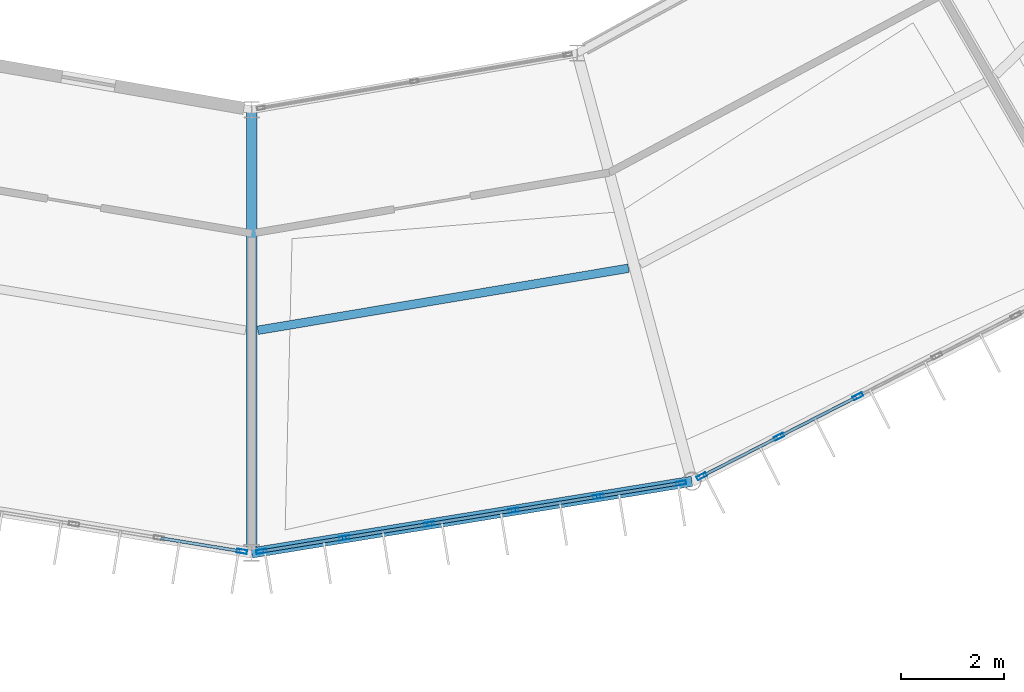
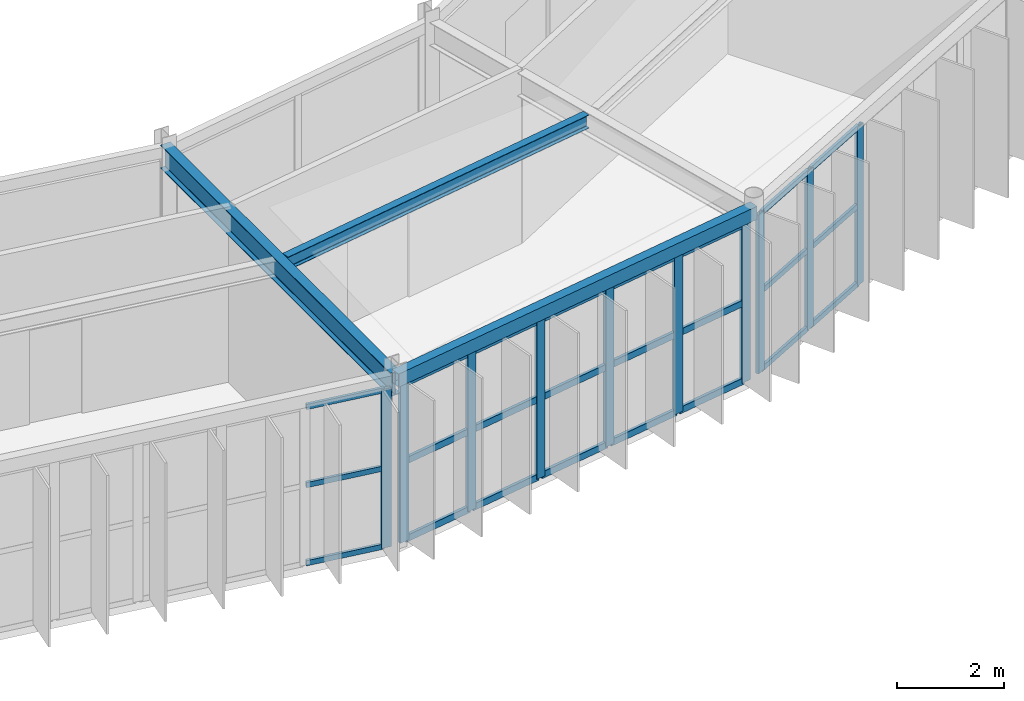
# One storey, part 47 of 147: 34 members, 3 beams, 3 elements without a shape of their own.
"""IFC4 building model written with IfcOpenShell, lengths in metres."""

from ifc_helpers import new_model, si_unit, direction, frame, origin, origin_2d, place, context, subcontext, project, spatial, hollow_rectangle, i_section, extrude, material, material_profile, profile_set, type_object, element, aggregate, save


model = new_model("IFC4")

# Units and contexts
model_context = context("Model", 3, precision=1e-05, world=origin(), true_north=direction((0.0, 1.0)))
body_context = subcontext(model_context, "Body", "Model", "MODEL_VIEW")
ifc_project = project(units=[si_unit("LENGTHUNIT", "METRE"), si_unit("AREAUNIT", "SQUARE_METRE"), si_unit("VOLUMEUNIT", "CUBIC_METRE"), si_unit("PLANEANGLEUNIT", "RADIAN"), si_unit("MASSUNIT", "GRAM", prefix="KILO")], contexts=[model_context])

# Site, building, storey
site_placement = place(None, origin())
site = spatial("IfcSite", under=ifc_project, at=site_placement, CompositionType="ELEMENT")
building_placement = place(site_placement, origin())
building = spatial("IfcBuilding", under=site, at=building_placement, Name="Karori Crest Natural Sciences Institute", CompositionType="ELEMENT")
storey_placement = place(building_placement, frame((0.0, 0.0, 9.10009765625)))
storey = spatial("IfcBuildingStorey", under=building, at=storey_placement, Name="L02", CompositionType="ELEMENT", Elevation=9.10009765625)

# Beams
ifc_material_1 = material(Name="Structural steel AS/NZS 3679.1 Grade 350", Category="steel")
ifc_material_profile_1 = material_profile(ifc_material_1, i_section(OverallWidth=0.208984375, OverallDepth=0.532958984375, WebThickness=0.01025390625, FlangeThickness=0.015625, FilletRadius=0.013916015625, at=origin_2d()), Name="530UB92.4")
ifc_profile_set_1 = profile_set([ifc_material_profile_1], Name="Structural steel AS/NZS 3679.1 Grade 350")
beam_type_1 = type_object("IfcBeamType", Name="BT-05", PredefinedType="BEAM", material=ifc_profile_set_1)
beam_1_placement = place(storey_placement, frame((66.39990234375, 17.699951171875, 3.67333984375), z_axis=(0.0, -1.0, 0.0), x_axis=(1.0, 0.0, 0.0)))
element("IfcBeam", 1, at=beam_1_placement, inside=storey, type_object=beam_type_1, Name="Beam B-0340", PredefinedType="BEAM", context=body_context, shape_type="SweptSolid", body=[
    extrude(i_section(OverallWidth=0.208984375, OverallDepth=0.532958984375, WebThickness=0.01025390625, FlangeThickness=0.015625, FilletRadius=0.013916015625, at=origin_2d()), origin(), (0.0, 0.0, 1.0), 8.599853515625),
])
ifc_material_profile_2 = material_profile(ifc_material_1, i_section(OverallWidth=0.1650390625, OverallDepth=0.303955078125, WebThickness=0.006103515625, FlangeThickness=0.01025390625, FilletRadius=0.010986328125, at=origin_2d()), Name="310UB40.4")
ifc_profile_set_2 = profile_set([ifc_material_profile_2], Name="Structural steel AS/NZS 3679.1 Grade 350")
beam_type_2 = type_object("IfcBeamType", Name="BT-10", PredefinedType="BEAM", material=ifc_profile_set_2)
beam_2_placement = place(storey_placement, frame((66.518310546875, 13.419921875, 3.787841796875), z_axis=(0.986276028212, 0.165104803609, 0.0), x_axis=(-0.165104803609, 0.986276028212, 0.0)))
element("IfcBeam", 2, at=beam_2_placement, inside=storey, type_object=beam_type_2, Name="Beam B-0341", PredefinedType="BEAM", context=body_context, shape_type="SweptSolid", body=[
    extrude(i_section(OverallWidth=0.1650390625, OverallDepth=0.303955078125, WebThickness=0.006103515625, FlangeThickness=0.01025390625, FilletRadius=0.010986328125, at=origin_2d()), origin(), (0.0, 0.0, 1.0), 7.29150390625),
])
ifc_material_2 = material(Name="Hollow structural steel AS/NZS 1163 Grade C350", Category="steel")
ifc_material_profile_3 = material_profile(ifc_material_2, hollow_rectangle(XDim=0.199951171875, YDim=0.300048828125, WallThickness=0.010009765625, at=origin_2d()), Name="RHS300x200x10")
ifc_profile_set_3 = profile_set([ifc_material_profile_3], Name="Hollow structural steel AS/NZS 1163 Grade C350")
beam_type_3 = type_object("IfcBeamType", Name="BT-15", PredefinedType="SPANDREL", material=ifc_profile_set_3)
beam_3_placement = place(storey_placement, frame((66.39990234375, 9.10009765625, 3.789794921875), z_axis=(0.987012055933, 0.160646199591, 0.0), x_axis=(-0.160646199591, 0.987012055933, 0.0)))
element("IfcBeam", 3, at=beam_3_placement, inside=storey, type_object=beam_type_3, Name="Beam B-0338", PredefinedType="SPANDREL", context=body_context, shape_type="SweptSolid", body=[
    extrude(hollow_rectangle(XDim=0.199951171875, YDim=0.300048828125, WallThickness=0.010009765625, at=origin_2d()), origin(), (0.0, 0.0, 1.0), 8.6533203125),
])

# Curtain wall, member
ifc_material_3 = material(Name="Anodised architectural aluminium 6063-T6", Category="aluminium")
curtain_wall_type_1 = type_object("IfcCurtainWallType", Name="CWT-08", PredefinedType="NOTDEFINED", material=ifc_material_3)
curtain_wall_1_placement = place(storey_placement, origin())
curtain_wall_1 = element("IfcCurtainWall", 4, at=curtain_wall_1_placement, inside=storey, type_object=curtain_wall_type_1, Name="Curtain wall CW-0090", PredefinedType="NOTDEFINED")
ifc_material_profile_4 = material_profile(ifc_material_3, hollow_rectangle(XDim=0.074951171875, YDim=0.199951171875, WallThickness=0.0048828125, at=origin_2d()), Name="CWM200x75x5")
ifc_profile_set_4 = profile_set([ifc_material_profile_4], Name="Anodised architectural aluminium 6063-T6")
member_type_1 = type_object("IfcMemberType", Name="CWM-02", PredefinedType="MULLION", material=ifc_profile_set_4)
member_1_placement = place(storey_placement, frame((66.20947265625, 9.131103515625, 0.0), z_axis=(0.0, 0.0, 1.0), x_axis=(-0.160651962718, -0.987011117908, 0.0)))
member_1 = element("IfcMember", 5, at=member_1_placement, type_object=member_type_1, Name="CW-0090 mullion 1", PredefinedType="MULLION", context=body_context, shape_type="SweptSolid", body=[
    extrude(hollow_rectangle(XDim=0.074951171875, YDim=0.199951171875, WallThickness=0.0048828125, at=origin_2d()), origin(), (0.0, 0.0, 1.0), 3.625),
])

# Curtain wall, members
curtain_wall_type_2 = type_object("IfcCurtainWallType", Name="CWT-09", PredefinedType="NOTDEFINED", material=ifc_material_3)
curtain_wall_2_placement = place(storey_placement, origin())
curtain_wall_2 = element("IfcCurtainWall", 6, at=curtain_wall_2_placement, inside=storey, type_object=curtain_wall_type_2, Name="Curtain wall CW-0091", PredefinedType="NOTDEFINED")
member_2_placement = place(storey_placement, frame((74.73046875, 10.4560546875, 0.0), z_axis=(0.0, 0.0, 1.0), x_axis=(0.1606565458, -0.987010371927, 0.0)))
member_2 = element("IfcMember", 7, at=member_2_placement, type_object=member_type_1, Name="CW-0091 mullion 1", PredefinedType="MULLION", context=body_context, shape_type="SweptSolid", body=[
    extrude(hollow_rectangle(XDim=0.074951171875, YDim=0.199951171875, WallThickness=0.0048828125, at=origin_2d()), origin(), (0.0, 0.0, 1.0), 3.625),
])
member_3_placement = place(storey_placement, frame((73.124755859375, 10.194580078125, 0.0), z_axis=(0.0, 0.0, 1.0), x_axis=(0.1606565458, -0.987010371927, 0.0)))
member_3 = element("IfcMember", 8, at=member_3_placement, type_object=member_type_1, Name="CW-0091 mullion 2", PredefinedType="MULLION", context=body_context, shape_type="SweptSolid", body=[
    extrude(hollow_rectangle(XDim=0.074951171875, YDim=0.199951171875, WallThickness=0.0048828125, at=origin_2d()), origin(), (0.0, 0.0, 1.0), 3.625),
])
member_4_placement = place(storey_placement, frame((71.48193359375, 9.92724609375, 0.0), z_axis=(0.0, 0.0, 1.0), x_axis=(0.1606565458, -0.987010371927, 0.0)))
member_4 = element("IfcMember", 9, at=member_4_placement, type_object=member_type_1, Name="CW-0091 mullion 3", PredefinedType="MULLION", context=body_context, shape_type="SweptSolid", body=[
    extrude(hollow_rectangle(XDim=0.074951171875, YDim=0.199951171875, WallThickness=0.0048828125, at=origin_2d()), origin(), (0.0, 0.0, 1.0), 3.625),
])
member_5_placement = place(storey_placement, frame((69.839111328125, 9.659912109375, 0.0), z_axis=(0.0, 0.0, 1.0), x_axis=(0.1606565458, -0.987010371927, 0.0)))
member_5 = element("IfcMember", 10, at=member_5_placement, type_object=member_type_1, Name="CW-0091 mullion 4", PredefinedType="MULLION", context=body_context, shape_type="SweptSolid", body=[
    extrude(hollow_rectangle(XDim=0.074951171875, YDim=0.199951171875, WallThickness=0.0048828125, at=origin_2d()), origin(), (0.0, 0.0, 1.0), 3.625),
])
member_6_placement = place(storey_placement, frame((68.1962890625, 9.392333984375, 0.0), z_axis=(0.0, 0.0, 1.0), x_axis=(0.1606565458, -0.987010371927, 0.0)))
member_6 = element("IfcMember", 11, at=member_6_placement, type_object=member_type_1, Name="CW-0091 mullion 5", PredefinedType="MULLION", context=body_context, shape_type="SweptSolid", body=[
    extrude(hollow_rectangle(XDim=0.074951171875, YDim=0.199951171875, WallThickness=0.0048828125, at=origin_2d()), origin(), (0.0, 0.0, 1.0), 3.625),
])
member_7_placement = place(storey_placement, frame((66.590576171875, 9.131103515625, 0.0), z_axis=(0.0, 0.0, 1.0), x_axis=(0.1606565458, -0.987010371927, 0.0)))
member_7 = element("IfcMember", 12, at=member_7_placement, type_object=member_type_1, Name="CW-0091 mullion 6", PredefinedType="MULLION", context=body_context, shape_type="SweptSolid", body=[
    extrude(hollow_rectangle(XDim=0.074951171875, YDim=0.199951171875, WallThickness=0.0048828125, at=origin_2d()), origin(), (0.0, 0.0, 1.0), 3.625),
])

curtain_wall_type_3 = type_object("IfcCurtainWallType", Name="CWT-10", PredefinedType="NOTDEFINED", material=ifc_material_3)
curtain_wall_3_placement = place(storey_placement, origin())
curtain_wall_3 = element("IfcCurtainWall", 13, at=curtain_wall_3_placement, inside=storey, type_object=curtain_wall_type_3, Name="Curtain wall CW-0093", PredefinedType="NOTDEFINED")
member_8_placement = place(storey_placement, frame((78.16162109375, 12.139404296875, 0.0), z_axis=(0.0, 0.0, 1.0), x_axis=(0.455832988828, -0.890065326982, 0.0)))
member_8 = element("IfcMember", 14, at=member_8_placement, type_object=member_type_1, Name="CW-0093 mullion 4", PredefinedType="MULLION", context=body_context, shape_type="SweptSolid", body=[
    extrude(hollow_rectangle(XDim=0.074951171875, YDim=0.199951171875, WallThickness=0.0048828125, at=origin_2d()), origin(), (0.0, 0.0, 1.0), 3.625),
])
member_9_placement = place(storey_placement, frame((76.629638671875, 11.35498046875, 0.0), z_axis=(0.0, 0.0, 1.0), x_axis=(0.455832988828, -0.890065326982, 0.0)))
member_9 = element("IfcMember", 15, at=member_9_placement, type_object=member_type_1, Name="CW-0093 mullion 5", PredefinedType="MULLION", context=body_context, shape_type="SweptSolid", body=[
    extrude(hollow_rectangle(XDim=0.074951171875, YDim=0.199951171875, WallThickness=0.0048828125, at=origin_2d()), origin(), (0.0, 0.0, 1.0), 3.625),
])
member_10_placement = place(storey_placement, frame((75.130859375, 10.58740234375, 0.0), z_axis=(0.0, 0.0, 1.0), x_axis=(0.455832988828, -0.890065326982, 0.0)))
member_10 = element("IfcMember", 16, at=member_10_placement, type_object=member_type_1, Name="CW-0093 mullion 6", PredefinedType="MULLION", context=body_context, shape_type="SweptSolid", body=[
    extrude(hollow_rectangle(XDim=0.074951171875, YDim=0.199951171875, WallThickness=0.0048828125, at=origin_2d()), origin(), (0.0, 0.0, 1.0), 3.625),
])

# Member
ifc_material_profile_5 = material_profile(ifc_material_3, hollow_rectangle(XDim=0.06005859375, YDim=0.1201171875, WallThickness=0.00390625, at=origin_2d()), Name="CWT120x60x4")
ifc_profile_set_5 = profile_set([ifc_material_profile_5], Name="Anodised architectural aluminium 6063-T6")
member_type_2 = type_object("IfcMemberType", Name="CWT-TR1", PredefinedType="USERDEFINED", material=ifc_profile_set_5)
member_11_placement = place(storey_placement, frame((66.17236328125, 9.136962890625, 0.02978515625), z_axis=(-0.986989891698, 0.160782317706, 0.0), x_axis=(-0.160782317706, -0.986989891698, 0.0)))
member_11 = element("IfcMember", 17, at=member_11_placement, type_object=member_type_2, Name="CW-0090 transom 1.1", ObjectType="TRANSOM", PredefinedType="USERDEFINED", context=body_context, shape_type="SweptSolid", body=[
    extrude(hollow_rectangle(XDim=0.06005859375, YDim=0.1201171875, WallThickness=0.00390625, at=origin_2d()), origin(), (0.0, 0.0, 1.0), 1.554931640625),
])

member_12_placement = place(storey_placement, frame((66.17236328125, 9.136962890625, 1.8125), z_axis=(-0.986989891698, 0.160782317706, 0.0), x_axis=(-0.160782317706, -0.986989891698, 0.0)))
member_12 = element("IfcMember", 18, at=member_12_placement, type_object=member_type_2, Name="CW-0090 transom 1.2", ObjectType="TRANSOM", PredefinedType="USERDEFINED", context=body_context, shape_type="SweptSolid", body=[
    extrude(hollow_rectangle(XDim=0.06005859375, YDim=0.1201171875, WallThickness=0.00390625, at=origin_2d()), origin(), (0.0, 0.0, 1.0), 1.554931640625),
])

member_13_placement = place(storey_placement, frame((66.17236328125, 9.136962890625, 3.594970703125), z_axis=(-0.986989891698, 0.160782317706, 0.0), x_axis=(-0.160782317706, -0.986989891698, 0.0)))
member_13 = element("IfcMember", 19, at=member_13_placement, type_object=member_type_2, Name="CW-0090 transom 1.3", ObjectType="TRANSOM", PredefinedType="USERDEFINED", context=body_context, shape_type="SweptSolid", body=[
    extrude(hollow_rectangle(XDim=0.06005859375, YDim=0.1201171875, WallThickness=0.00390625, at=origin_2d()), origin(), (0.0, 0.0, 1.0), 1.554931640625),
])

aggregate(curtain_wall_1, [member_1, member_11, member_12, member_13])

member_14_placement = place(storey_placement, frame((78.128173828125, 12.122314453125, 0.02978515625), z_axis=(-0.890115268912, -0.455735458408, 0.0), x_axis=(0.455735458408, -0.890115268912, 0.0)))
member_14 = element("IfcMember", 20, at=member_14_placement, type_object=member_type_2, Name="CW-0093 transom 4.1", ObjectType="TRANSOM", PredefinedType="USERDEFINED", context=body_context, shape_type="SweptSolid", body=[
    extrude(hollow_rectangle(XDim=0.06005859375, YDim=0.1201171875, WallThickness=0.00390625, at=origin_2d()), origin(), (0.0, 0.0, 1.0), 1.646240234375),
])

member_15_placement = place(storey_placement, frame((78.128173828125, 12.122314453125, 1.8125), z_axis=(-0.890115268912, -0.455735458408, 0.0), x_axis=(0.455735458408, -0.890115268912, 0.0)))
member_15 = element("IfcMember", 21, at=member_15_placement, type_object=member_type_2, Name="CW-0093 transom 4.2", ObjectType="TRANSOM", PredefinedType="USERDEFINED", context=body_context, shape_type="SweptSolid", body=[
    extrude(hollow_rectangle(XDim=0.06005859375, YDim=0.1201171875, WallThickness=0.00390625, at=origin_2d()), origin(), (0.0, 0.0, 1.0), 1.646240234375),
])

member_16_placement = place(storey_placement, frame((78.128173828125, 12.122314453125, 3.594970703125), z_axis=(-0.890115268912, -0.455735458408, 0.0), x_axis=(0.455735458408, -0.890115268912, 0.0)))
member_16 = element("IfcMember", 22, at=member_16_placement, type_object=member_type_2, Name="CW-0093 transom 4.3", ObjectType="TRANSOM", PredefinedType="USERDEFINED", context=body_context, shape_type="SweptSolid", body=[
    extrude(hollow_rectangle(XDim=0.06005859375, YDim=0.1201171875, WallThickness=0.00390625, at=origin_2d()), origin(), (0.0, 0.0, 1.0), 1.646240234375),
])

member_17_placement = place(storey_placement, frame((76.59619140625, 11.337890625, 0.02978515625), z_axis=(-0.890044866674, -0.455872937679, 0.0), x_axis=(0.455872937679, -0.890044866674, 0.0)))
member_17 = element("IfcMember", 23, at=member_17_placement, type_object=member_type_2, Name="CW-0093 transom 5.1", ObjectType="TRANSOM", PredefinedType="USERDEFINED", context=body_context, shape_type="SweptSolid", body=[
    extrude(hollow_rectangle(XDim=0.06005859375, YDim=0.1201171875, WallThickness=0.00390625, at=origin_2d()), origin(), (0.0, 0.0, 1.0), 1.60888671875),
])

member_18_placement = place(storey_placement, frame((76.59619140625, 11.337890625, 1.8125), z_axis=(-0.890044866674, -0.455872937679, 0.0), x_axis=(0.455872937679, -0.890044866674, 0.0)))
member_18 = element("IfcMember", 24, at=member_18_placement, type_object=member_type_2, Name="CW-0093 transom 5.2", ObjectType="TRANSOM", PredefinedType="USERDEFINED", context=body_context, shape_type="SweptSolid", body=[
    extrude(hollow_rectangle(XDim=0.06005859375, YDim=0.1201171875, WallThickness=0.00390625, at=origin_2d()), origin(), (0.0, 0.0, 1.0), 1.60888671875),
])

member_19_placement = place(storey_placement, frame((76.59619140625, 11.337890625, 3.594970703125), z_axis=(-0.890044866674, -0.455872937679, 0.0), x_axis=(0.455872937679, -0.890044866674, 0.0)))
member_19 = element("IfcMember", 25, at=member_19_placement, type_object=member_type_2, Name="CW-0093 transom 5.3", ObjectType="TRANSOM", PredefinedType="USERDEFINED", context=body_context, shape_type="SweptSolid", body=[
    extrude(hollow_rectangle(XDim=0.06005859375, YDim=0.1201171875, WallThickness=0.00390625, at=origin_2d()), origin(), (0.0, 0.0, 1.0), 1.60888671875),
])

aggregate(curtain_wall_3, [member_8, member_9, member_10, member_14, member_15, member_16, member_17, member_18, member_19])

ifc_material_profile_6 = material_profile(ifc_material_3, hollow_rectangle(XDim=0.06494140625, YDim=0.14990234375, WallThickness=0.00390625, at=origin_2d()), Name="CWT150x65x4")
ifc_profile_set_6 = profile_set([ifc_material_profile_6], Name="Anodised architectural aluminium 6063-T6")
member_type_3 = type_object("IfcMemberType", Name="CWT-TR2", PredefinedType="USERDEFINED", material=ifc_profile_set_6)
member_20_placement = place(storey_placement, frame((74.693359375, 10.449951171875, 0.032470703125), z_axis=(-0.987015971558, -0.160622140096, 0.0), x_axis=(0.160622140096, -0.987015971558, 0.0)))
member_20 = element("IfcMember", 26, at=member_20_placement, type_object=member_type_3, Name="CW-0091 transom 1.1", ObjectType="TRANSOM", PredefinedType="USERDEFINED", context=body_context, shape_type="SweptSolid", body=[
    extrude(hollow_rectangle(XDim=0.06494140625, YDim=0.14990234375, WallThickness=0.00390625, at=origin_2d()), origin(), (0.0, 0.0, 1.0), 1.552001953125),
])

member_21_placement = place(storey_placement, frame((74.693359375, 10.449951171875, 1.8125), z_axis=(-0.987015971558, -0.160622140096, 0.0), x_axis=(0.160622140096, -0.987015971558, 0.0)))
member_21 = element("IfcMember", 27, at=member_21_placement, type_object=member_type_3, Name="CW-0091 transom 1.2", ObjectType="TRANSOM", PredefinedType="USERDEFINED", context=body_context, shape_type="SweptSolid", body=[
    extrude(hollow_rectangle(XDim=0.06494140625, YDim=0.14990234375, WallThickness=0.00390625, at=origin_2d()), origin(), (0.0, 0.0, 1.0), 1.552001953125),
])

member_22_placement = place(storey_placement, frame((74.693359375, 10.449951171875, 3.59228515625), z_axis=(-0.987015971558, -0.160622140096, 0.0), x_axis=(0.160622140096, -0.987015971558, 0.0)))
member_22 = element("IfcMember", 28, at=member_22_placement, type_object=member_type_3, Name="CW-0091 transom 1.3", ObjectType="TRANSOM", PredefinedType="USERDEFINED", context=body_context, shape_type="SweptSolid", body=[
    extrude(hollow_rectangle(XDim=0.06494140625, YDim=0.14990234375, WallThickness=0.00390625, at=origin_2d()), origin(), (0.0, 0.0, 1.0), 1.552001953125),
])

member_23_placement = place(storey_placement, frame((73.087646484375, 10.1884765625, 0.032470703125), z_axis=(-0.987009535741, -0.160661682911, 0.0), x_axis=(0.160661682911, -0.987009535741, 0.0)))
member_23 = element("IfcMember", 29, at=member_23_placement, type_object=member_type_3, Name="CW-0091 transom 2.1", ObjectType="TRANSOM", PredefinedType="USERDEFINED", context=body_context, shape_type="SweptSolid", body=[
    extrude(hollow_rectangle(XDim=0.06494140625, YDim=0.14990234375, WallThickness=0.00390625, at=origin_2d()), origin(), (0.0, 0.0, 1.0), 1.589599609375),
])

member_24_placement = place(storey_placement, frame((73.087646484375, 10.1884765625, 1.8125), z_axis=(-0.987009535741, -0.160661682911, 0.0), x_axis=(0.160661682911, -0.987009535741, 0.0)))
member_24 = element("IfcMember", 30, at=member_24_placement, type_object=member_type_3, Name="CW-0091 transom 2.2", ObjectType="TRANSOM", PredefinedType="USERDEFINED", context=body_context, shape_type="SweptSolid", body=[
    extrude(hollow_rectangle(XDim=0.06494140625, YDim=0.14990234375, WallThickness=0.00390625, at=origin_2d()), origin(), (0.0, 0.0, 1.0), 1.589599609375),
])

member_25_placement = place(storey_placement, frame((73.087646484375, 10.1884765625, 3.59228515625), z_axis=(-0.987009535741, -0.160661682911, 0.0), x_axis=(0.160661682911, -0.987009535741, 0.0)))
member_25 = element("IfcMember", 31, at=member_25_placement, type_object=member_type_3, Name="CW-0091 transom 2.3", ObjectType="TRANSOM", PredefinedType="USERDEFINED", context=body_context, shape_type="SweptSolid", body=[
    extrude(hollow_rectangle(XDim=0.06494140625, YDim=0.14990234375, WallThickness=0.00390625, at=origin_2d()), origin(), (0.0, 0.0, 1.0), 1.589599609375),
])

member_26_placement = place(storey_placement, frame((71.44482421875, 9.921142578125, 0.032470703125), z_axis=(-0.987005570186, -0.160686043022, 0.0), x_axis=(0.160686043022, -0.987005570186, 0.0)))
member_26 = element("IfcMember", 32, at=member_26_placement, type_object=member_type_3, Name="CW-0091 transom 3.1", ObjectType="TRANSOM", PredefinedType="USERDEFINED", context=body_context, shape_type="SweptSolid", body=[
    extrude(hollow_rectangle(XDim=0.06494140625, YDim=0.14990234375, WallThickness=0.00390625, at=origin_2d()), origin(), (0.0, 0.0, 1.0), 1.58935546875),
])

member_27_placement = place(storey_placement, frame((71.44482421875, 9.921142578125, 1.8125), z_axis=(-0.987005570186, -0.160686043022, 0.0), x_axis=(0.160686043022, -0.987005570186, 0.0)))
member_27 = element("IfcMember", 33, at=member_27_placement, type_object=member_type_3, Name="CW-0091 transom 3.2", ObjectType="TRANSOM", PredefinedType="USERDEFINED", context=body_context, shape_type="SweptSolid", body=[
    extrude(hollow_rectangle(XDim=0.06494140625, YDim=0.14990234375, WallThickness=0.00390625, at=origin_2d()), origin(), (0.0, 0.0, 1.0), 1.58935546875),
])

member_28_placement = place(storey_placement, frame((71.44482421875, 9.921142578125, 3.59228515625), z_axis=(-0.987005570186, -0.160686043022, 0.0), x_axis=(0.160686043022, -0.987005570186, 0.0)))
member_28 = element("IfcMember", 34, at=member_28_placement, type_object=member_type_3, Name="CW-0091 transom 3.3", ObjectType="TRANSOM", PredefinedType="USERDEFINED", context=body_context, shape_type="SweptSolid", body=[
    extrude(hollow_rectangle(XDim=0.06494140625, YDim=0.14990234375, WallThickness=0.00390625, at=origin_2d()), origin(), (0.0, 0.0, 1.0), 1.58935546875),
])

member_29_placement = place(storey_placement, frame((69.802001953125, 9.65380859375, 0.032470703125), z_axis=(-0.987005570186, -0.160686043022, 0.0), x_axis=(0.160686043022, -0.987005570186, 0.0)))
member_29 = element("IfcMember", 35, at=member_29_placement, type_object=member_type_3, Name="CW-0091 transom 4.1", ObjectType="TRANSOM", PredefinedType="USERDEFINED", context=body_context, shape_type="SweptSolid", body=[
    extrude(hollow_rectangle(XDim=0.06494140625, YDim=0.14990234375, WallThickness=0.00390625, at=origin_2d()), origin(), (0.0, 0.0, 1.0), 1.58935546875),
])

member_30_placement = place(storey_placement, frame((69.802001953125, 9.65380859375, 1.8125), z_axis=(-0.987005570186, -0.160686043022, 0.0), x_axis=(0.160686043022, -0.987005570186, 0.0)))
member_30 = element("IfcMember", 36, at=member_30_placement, type_object=member_type_3, Name="CW-0091 transom 4.2", ObjectType="TRANSOM", PredefinedType="USERDEFINED", context=body_context, shape_type="SweptSolid", body=[
    extrude(hollow_rectangle(XDim=0.06494140625, YDim=0.14990234375, WallThickness=0.00390625, at=origin_2d()), origin(), (0.0, 0.0, 1.0), 1.58935546875),
])

member_31_placement = place(storey_placement, frame((69.802001953125, 9.65380859375, 3.59228515625), z_axis=(-0.987005570186, -0.160686043022, 0.0), x_axis=(0.160686043022, -0.987005570186, 0.0)))
member_31 = element("IfcMember", 37, at=member_31_placement, type_object=member_type_3, Name="CW-0091 transom 4.3", ObjectType="TRANSOM", PredefinedType="USERDEFINED", context=body_context, shape_type="SweptSolid", body=[
    extrude(hollow_rectangle(XDim=0.06494140625, YDim=0.14990234375, WallThickness=0.00390625, at=origin_2d()), origin(), (0.0, 0.0, 1.0), 1.58935546875),
])

member_32_placement = place(storey_placement, frame((68.1591796875, 9.386474609375, 0.032470703125), z_axis=(-0.986991019555, -0.160775394005, 0.0), x_axis=(0.160775394005, -0.986991019555, 0.0)))
member_32 = element("IfcMember", 38, at=member_32_placement, type_object=member_type_3, Name="CW-0091 transom 5.1", ObjectType="TRANSOM", PredefinedType="USERDEFINED", context=body_context, shape_type="SweptSolid", body=[
    extrude(hollow_rectangle(XDim=0.06494140625, YDim=0.14990234375, WallThickness=0.00390625, at=origin_2d()), origin(), (0.0, 0.0, 1.0), 1.552001953125),
])

member_33_placement = place(storey_placement, frame((68.1591796875, 9.386474609375, 1.8125), z_axis=(-0.986991019555, -0.160775394005, 0.0), x_axis=(0.160775394005, -0.986991019555, 0.0)))
member_33 = element("IfcMember", 39, at=member_33_placement, type_object=member_type_3, Name="CW-0091 transom 5.2", ObjectType="TRANSOM", PredefinedType="USERDEFINED", context=body_context, shape_type="SweptSolid", body=[
    extrude(hollow_rectangle(XDim=0.06494140625, YDim=0.14990234375, WallThickness=0.00390625, at=origin_2d()), origin(), (0.0, 0.0, 1.0), 1.552001953125),
])

member_34_placement = place(storey_placement, frame((68.1591796875, 9.386474609375, 3.59228515625), z_axis=(-0.986991019555, -0.160775394005, 0.0), x_axis=(0.160775394005, -0.986991019555, 0.0)))
member_34 = element("IfcMember", 40, at=member_34_placement, type_object=member_type_3, Name="CW-0091 transom 5.3", ObjectType="TRANSOM", PredefinedType="USERDEFINED", context=body_context, shape_type="SweptSolid", body=[
    extrude(hollow_rectangle(XDim=0.06494140625, YDim=0.14990234375, WallThickness=0.00390625, at=origin_2d()), origin(), (0.0, 0.0, 1.0), 1.552001953125),
])

aggregate(curtain_wall_2, [member_2, member_3, member_4, member_5, member_6, member_7, member_20, member_21, member_22, member_23, member_24, member_25, member_26, member_27, member_28, member_29, member_30, member_31, member_32, member_33, member_34])

save(model, "model.ifc")
